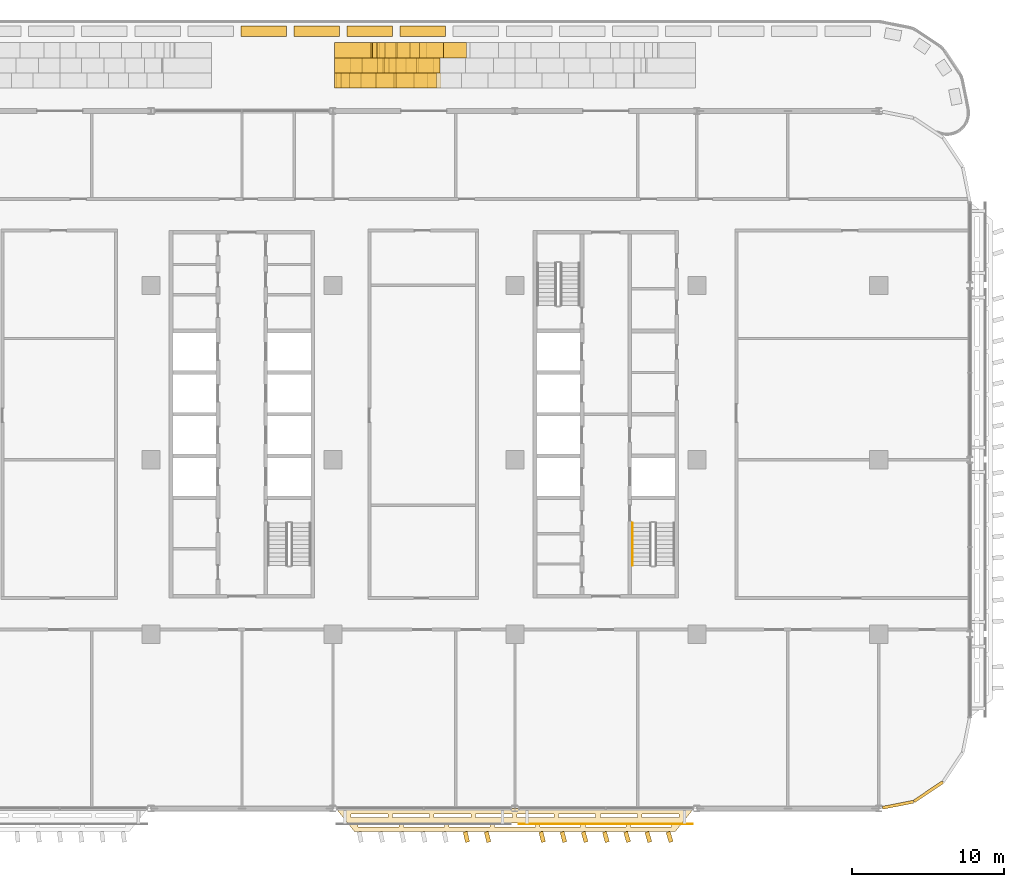
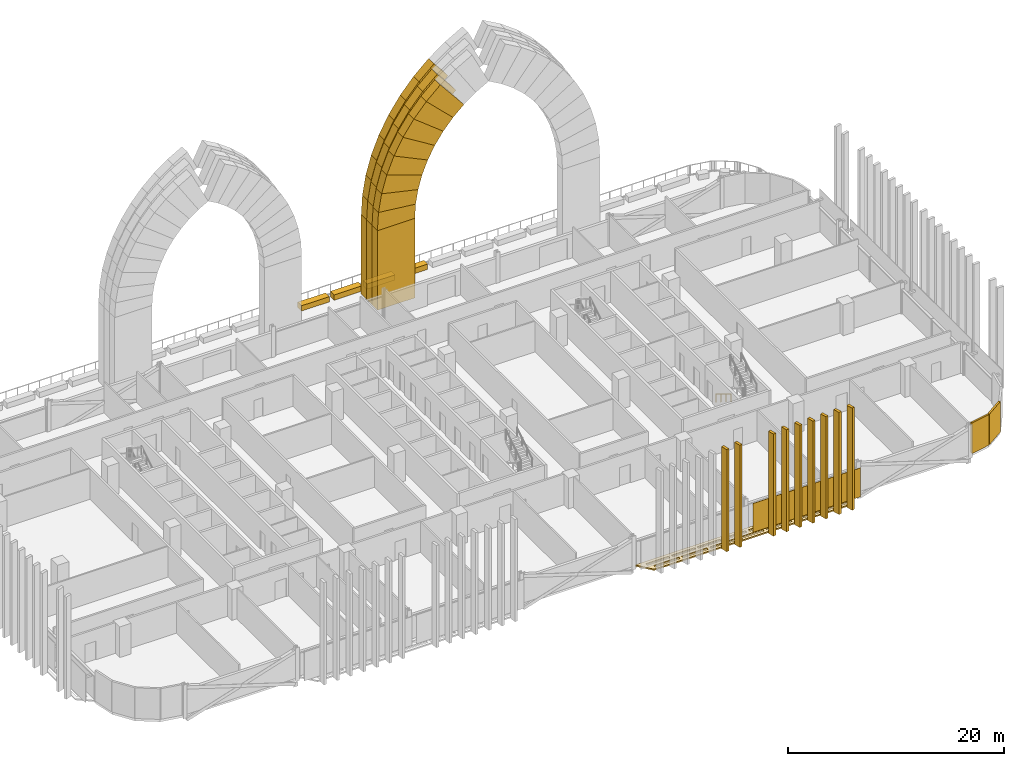
# One storey, part 27 of 30: 44 coverings, 1 railing.
"""IFC4 building model written with IfcOpenShell, lengths in metres."""

from ifc_helpers import new_model, si_unit, direction, frame, origin, origin_2d, place, context, subcontext, project, spatial, polyline, rectangle, circle, outline, extrude, material, layer, layer_set, type_object, element, save


model = new_model("IFC4")

# Units and contexts
model_context = context("Model", 3, precision=1e-05, world=origin(), true_north=direction((0.0, 1.0)))
body_context = subcontext(model_context, "Body", "Model", "MODEL_VIEW")
ifc_project = project(units=[si_unit("LENGTHUNIT", "METRE"), si_unit("AREAUNIT", "SQUARE_METRE"), si_unit("VOLUMEUNIT", "CUBIC_METRE"), si_unit("PLANEANGLEUNIT", "RADIAN"), si_unit("MASSUNIT", "GRAM", prefix="KILO")], contexts=[model_context])

# Site, building, storey
site_placement = place(None, origin())
site = spatial("IfcSite", under=ifc_project, at=site_placement, CompositionType="ELEMENT")
building_placement = place(site_placement, origin())
building = spatial("IfcBuilding", under=site, at=building_placement, Name="Mahtab Terrace Research Tower", CompositionType="ELEMENT")
storey_placement = place(building_placement, frame((0.0, 0.0, 159.199951171875)))
storey = spatial("IfcBuildingStorey", under=building, at=storey_placement, Name="L37", CompositionType="ELEMENT", Elevation=159.199951171875)

# Coverings
ifc_material_1 = material(Name="Black aluminium cladding panel", Category="aluminium")
ifc_layer_1 = layer(ifc_material_1, 0.199951171875)
ifc_layer_set_1 = layer_set([ifc_layer_1], Name="Black metal corner cladding 200")
covering_type_1 = type_object("IfcCoveringType", Name="Black metal corner cladding 200", PredefinedType="CLADDING", material=ifc_layer_set_1)
covering_1_placement = place(storey_placement, frame((43.25830078125, -22.74951171875, 0.0), z_axis=(0.0, 0.0, 1.0), x_axis=(0.980760981187, 0.195212442692, 0.0)))
element("IfcCovering", 1, at=covering_1_placement, inside=storey, type_object=covering_type_1, Name="Corner cladding L37 30", PredefinedType="CLADDING", context=body_context, shape_type="SweptSolid", body=[
    extrude(rectangle(XDim=2.07666015625, YDim=0.199951171875, at=origin_2d()), origin(), (0.0, 0.0, 1.0), 3.4599609375),
])
covering_2_placement = place(storey_placement, frame((45.26953125, -21.89306640625, 0.0), z_axis=(0.0, 0.0, 1.0), x_axis=(0.831655794326, 0.555291490808, 0.0)))
element("IfcCovering", 2, at=covering_2_placement, inside=storey, type_object=covering_type_1, Name="Corner cladding L37 31", PredefinedType="CLADDING", context=body_context, shape_type="SweptSolid", body=[
    extrude(rectangle(XDim=2.30126953125, YDim=0.199951171875, at=origin_2d()), origin(), (0.0, 0.0, 1.0), 3.4599609375),
])
ifc_material_2 = material(Name="Black anodised aluminium", Category="aluminium")
ifc_layer_2 = layer(ifc_material_2, 0.14990234375)
ifc_layer_set_2 = layer_set([ifc_layer_2], Name="Horizontal sunshade band")
covering_type_2 = type_object("IfcCoveringType", Name="Horizontal sunshade band", PredefinedType="CLADDING", material=ifc_layer_set_2)
covering_3_placement = place(storey_placement, frame((0.0, 0.0, -0.14990234375)))
element("IfcCovering", 3, at=covering_3_placement, inside=storey, type_object=covering_type_2, Name="Sunshade band L37 27", PredefinedType="CLADDING", context=body_context, shape_type="SweptSolid", body=[
    extrude(outline(polyline([(6.2080078125, -23.0), (29.7919921875, -23.0), (28.592041015625, -24.5), (7.407958984375, -24.5), (6.2080078125, -23.0)]), holes=[polyline([(7.18798828125, -23.35009765625), (9.6279296875, -23.35009765625), (9.6279296875, -23.60009765625), (7.18798828125, -23.60009765625), (7.18798828125, -23.35009765625)]), polyline([(9.927978515625, -23.35009765625), (12.368896484375, -23.35009765625), (12.368896484375, -23.60009765625), (9.927978515625, -23.60009765625), (9.927978515625, -23.35009765625)]), polyline([(12.6689453125, -23.35009765625), (15.10888671875, -23.35009765625), (15.10888671875, -23.60009765625), (12.6689453125, -23.60009765625), (12.6689453125, -23.35009765625)]), polyline([(15.408935546875, -23.35009765625), (17.85009765625, -23.35009765625), (17.85009765625, -23.60009765625), (15.408935546875, -23.60009765625), (15.408935546875, -23.35009765625)]), polyline([(18.14990234375, -23.35009765625), (20.590087890625, -23.35009765625), (20.590087890625, -23.60009765625), (18.14990234375, -23.60009765625), (18.14990234375, -23.35009765625)]), polyline([(20.889892578125, -23.35009765625), (23.3310546875, -23.35009765625), (23.3310546875, -23.60009765625), (20.889892578125, -23.60009765625), (20.889892578125, -23.35009765625)]), polyline([(23.631103515625, -23.35009765625), (26.072021484375, -23.35009765625), (26.072021484375, -23.60009765625), (23.631103515625, -23.60009765625), (23.631103515625, -23.35009765625)]), polyline([(26.37109375, -23.35009765625), (28.81201171875, -23.35009765625), (28.81201171875, -23.60009765625), (26.37109375, -23.60009765625), (26.37109375, -23.35009765625)]), polyline([(7.66796875, -23.949951171875), (10.363037109375, -23.949951171875), (10.363037109375, -24.199951171875), (7.66796875, -24.199951171875), (7.66796875, -23.949951171875)]), polyline([(10.6630859375, -23.949951171875), (13.35791015625, -23.949951171875), (13.35791015625, -24.199951171875), (10.6630859375, -24.199951171875), (10.6630859375, -23.949951171875)]), polyline([(13.657958984375, -23.949951171875), (16.35302734375, -23.949951171875), (16.35302734375, -24.199951171875), (13.657958984375, -24.199951171875), (13.657958984375, -23.949951171875)]), polyline([(16.653076171875, -23.949951171875), (19.346923828125, -23.949951171875), (19.346923828125, -24.199951171875), (16.653076171875, -24.199951171875), (16.653076171875, -23.949951171875)]), polyline([(19.64697265625, -23.949951171875), (22.342041015625, -23.949951171875), (22.342041015625, -24.199951171875), (19.64697265625, -24.199951171875), (19.64697265625, -23.949951171875)]), polyline([(22.64208984375, -23.949951171875), (25.3369140625, -23.949951171875), (25.3369140625, -24.199951171875), (22.64208984375, -24.199951171875), (22.64208984375, -23.949951171875)]), polyline([(25.636962890625, -23.949951171875), (28.33203125, -23.949951171875), (28.33203125, -24.199951171875), (25.636962890625, -24.199951171875), (25.636962890625, -23.949951171875)])]), origin(), (0.0, 0.0, 1.0), 0.14990234375),
])
ifc_material_3 = material(Name="Glazed ceramic tile cladding", Category="masonry")
ifc_layer_3 = layer(ifc_material_3, 1.0)
ifc_layer_set_3 = layer_set([ifc_layer_3], Name="Iwan portal cladding arch course 800")
covering_type_3 = type_object("IfcCoveringType", Name="Iwan portal cladding arch course 800", PredefinedType="CLADDING", material=ifc_layer_set_3)
covering_4_placement = place(storey_placement, frame((10.10009765625, 24.5, 9.030029296875), z_axis=(0.0, -1.0, 0.0), x_axis=(0.055684188301, 0.0, 0.998448431905)))
element("IfcCovering", 4, at=covering_4_placement, inside=storey, type_object=covering_type_3, Name="Iwan portal arch course 4.1.1E1", PredefinedType="CLADDING", context=body_context, shape_type="SweptSolid", body=[
    extrude(outline(polyline([(0.0, 0.0), (1.5783766932944783, 0.0), (1.7993999387119965, 3.9945795809983236), (-0.2227367532057247, 3.993793727619314), (0.0, 0.0)])), origin(), (0.0, 0.0, -1.0), 1.0),
])
covering_5_placement = place(storey_placement, frame((10.18798828125, 24.5, 10.60595703125), z_axis=(0.0, -1.0, 0.0), x_axis=(0.16540253298, 0.0, 0.986226141452)))
element("IfcCovering", 5, at=covering_5_placement, inside=storey, type_object=covering_type_3, Name="Iwan portal arch course 4.1.1E2", PredefinedType="CLADDING", context=body_context, shape_type="SweptSolid", body=[
    extrude(outline(polyline([(0.0, 0.0), (1.5778859212334675, 5.551115123125783e-17), (1.8012356859499197, 3.9938082352737947), (-0.2206409192800836, 3.9946007170533173), (0.0, 0.0)])), origin(), (0.0, 0.0, -1.0), 1.0),
])
covering_6_placement = place(storey_placement, frame((10.448974609375, 24.5, 12.162109375), z_axis=(0.0, -1.0, 0.0), x_axis=(0.274557595969, 0.0, 0.961570656008)))
element("IfcCovering", 6, at=covering_6_placement, inside=storey, type_object=covering_type_3, Name="Iwan portal arch course 4.1.1E3", PredefinedType="CLADDING", context=body_context, shape_type="SweptSolid", body=[
    extrude(outline(polyline([(0.0, 0.0), (1.5774667141179028, 5.551115123125783e-17), (1.797198668735069, 3.9948545773434434), (-0.22427553025068414, 3.9937563551211346), (0.0, 0.0)])), origin(), (0.0, 0.0, -1.0), 1.0),
])
covering_7_placement = place(storey_placement, frame((10.882080078125, 24.5, 13.678955078125), z_axis=(0.0, -1.0, 0.0), x_axis=(0.378181094017, 0.0, 0.925731635048)))
element("IfcCovering", 7, at=covering_7_placement, inside=storey, type_object=covering_type_3, Name="Iwan portal arch course 4.1.1E4", PredefinedType="CLADDING", context=body_context, shape_type="SweptSolid", body=[
    extrude(outline(polyline([(0.0, 0.0), (1.5784073756426038, 0.0), (1.8028175880081938, 3.9935204831856623), (-0.21895031798227782, 3.9948974935856865), (0.0, 0.0)])), origin(), (0.0, 0.0, -1.0), 1.0),
])
covering_8_placement = place(storey_placement, frame((11.47900390625, 24.5, 15.14013671875), z_axis=(0.0, -1.0, 0.0), x_axis=(0.479166466467, 0.0, 0.877724043999)))
element("IfcCovering", 8, at=covering_8_placement, inside=storey, type_object=covering_type_3, Name="Iwan portal arch course 4.1.1E5", PredefinedType="CLADDING", context=body_context, shape_type="SweptSolid", body=[
    extrude(outline(polyline([(0.0, 0.0), (1.577955822327451, 0.0), (1.7993510086734408, 3.9935730312671653), (-0.22283295257618718, 3.9936088026099394), (0.0, 0.0)])), origin(), (0.0, 0.0, -1.0), 1.0),
])
covering_9_placement = place(storey_placement, frame((12.235107421875, 24.5, 16.525146484375), z_axis=(0.0, -1.0, 0.0), x_axis=(0.573628543289, 0.0, 0.819115556148)))
element("IfcCovering", 9, at=covering_9_placement, inside=storey, type_object=covering_type_3, Name="Iwan portal arch course 4.1.1E6", PredefinedType="CLADDING", context=body_context, shape_type="SweptSolid", body=[
    extrude(outline(polyline([(0.0, 0.0), (1.57730149037252, 1.1102230246251565e-16), (1.7981598253079183, 3.993900507702006), (-0.2232388907297027, 3.993470393312985), (0.0, 0.0)])), origin(), (0.0, 0.0, -1.0), 1.0),
])
covering_10_placement = place(storey_placement, frame((13.139892578125, 24.5, 17.817138671875), z_axis=(0.0, -1.0, 0.0), x_axis=(0.66083356317, 0.0, 0.750532478836)))
element("IfcCovering", 10, at=covering_10_placement, inside=storey, type_object=covering_type_3, Name="Iwan portal arch course 4.1.1E7", PredefinedType="CLADDING", context=body_context, shape_type="SweptSolid", body=[
    extrude(outline(polyline([(0.0, 0.0), (1.5786318201214813, 1.1102230246251565e-16), (1.7992764726772033, 3.994311049460075), (-0.2229140085410235, 3.993786300533486), (0.0, 0.0)])), origin(), (0.0, 0.0, -1.0), 1.0),
])
covering_11_placement = place(storey_placement, frame((14.18310546875, 24.5, 19.001953125), z_axis=(0.0, -1.0, 0.0), x_axis=(0.739589914552, 0.0, 0.673057767427)))
element("IfcCovering", 11, at=covering_11_placement, inside=storey, type_object=covering_type_3, Name="Iwan portal arch course 4.1.1E8", PredefinedType="CLADDING", context=body_context, shape_type="SweptSolid", body=[
    extrude(outline(polyline([(0.0, 0.0), (1.5778908886384904, 0.0), (1.800936466805464, 3.993944873038375), (-0.22130264503405606, 3.9942746477728868), (0.0, 0.0)])), origin(), (0.0, 0.0, -1.0), 1.0),
])
covering_12_placement = place(storey_placement, frame((9.300048828125, 25.5, 9.030029296875), z_axis=(0.0, -1.0, 0.0), x_axis=(0.05521324217, 0.0, 0.9984745855)))
element("IfcCovering", 12, at=covering_12_placement, inside=storey, type_object=covering_type_3, Name="Iwan portal arch course 4.1.2E1", PredefinedType="CLADDING", context=body_context, shape_type="SweptSolid", body=[
    extrude(outline(polyline([(0.0, 0.0), (1.7377582234668387, 0.0), (1.916622864104998, 3.1946805493775674), (-0.17667967898457168, 3.195069919957636), (0.0, 0.0)])), origin(), (0.0, 0.0, -1.0), 1.0),
])
covering_13_placement = place(storey_placement, frame((9.39599609375, 25.5, 10.76513671875), z_axis=(0.0, -1.0, 0.0), x_axis=(0.165765655769, 0.0, 0.986165172457)))
element("IfcCovering", 13, at=covering_13_placement, inside=storey, type_object=covering_type_3, Name="Iwan portal arch course 4.1.2E2", PredefinedType="CLADDING", context=body_context, shape_type="SweptSolid", body=[
    extrude(outline(polyline([(0.0, 0.0), (1.7379108848771314, 5.551115123125783e-17), (1.9158642234277719, 3.194791693982764), (-0.17705407852550875, 3.1947814049664585), (0.0, 0.0)])), origin(), (0.0, 0.0, -1.0), 1.0),
])
covering_14_placement = place(storey_placement, frame((9.68408203125, 25.5, 12.47900390625), z_axis=(0.0, -1.0, 0.0), x_axis=(0.274368569848, 0.0, 0.961624608607)))
element("IfcCovering", 14, at=covering_14_placement, inside=storey, type_object=covering_type_3, Name="Iwan portal arch course 4.1.2E3", PredefinedType="CLADDING", context=body_context, shape_type="SweptSolid", body=[
    extrude(outline(polyline([(0.0, 0.0), (1.737832583699123, 5.551115123125783e-17), (1.9139240673748024, 3.1948431043558716), (-0.17830955255859782, 3.1947718325584584), (0.0, 0.0)])), origin(), (0.0, 0.0, -1.0), 1.0),
])
covering_15_placement = place(storey_placement, frame((10.160888671875, 25.5, 14.150146484375), z_axis=(0.0, -1.0, 0.0), x_axis=(0.378840755386, 0.0, 0.925461874989)))
element("IfcCovering", 15, at=covering_15_placement, inside=storey, type_object=covering_type_3, Name="Iwan portal arch course 4.1.2E4", PredefinedType="CLADDING", context=body_context, shape_type="SweptSolid", body=[
    extrude(outline(polyline([(0.0, 0.0), (1.7374137170897623, -1.1102230246251565e-16), (1.91502221750044, 3.1956173853652894), (-0.17764719818233965, 3.1947569774634395), (0.0, 0.0)])), origin(), (0.0, 0.0, -1.0), 1.0),
])
covering_16_placement = place(storey_placement, frame((10.819091796875, 25.5, 15.758056640625), z_axis=(0.0, -1.0, 0.0), x_axis=(0.479166962321, 0.0, 0.877723773302)))
element("IfcCovering", 16, at=covering_16_placement, inside=storey, type_object=covering_type_3, Name="Iwan portal arch course 4.1.2E5", PredefinedType="CLADDING", context=body_context, shape_type="SweptSolid", body=[
    extrude(outline(polyline([(0.0, 0.0), (1.7384500143014558, 0.0), (1.9148860700248238, 3.195489581035992), (-0.1779878439256981, 3.195596279332184), (0.0, 0.0)])), origin(), (0.0, 0.0, -1.0), 1.0),
])
covering_17_placement = place(storey_placement, frame((11.652099609375, 25.5, 17.283935546875), z_axis=(0.0, -1.0, 0.0), x_axis=(0.573339702667, 0.0, 0.81931775603)))
element("IfcCovering", 17, at=covering_17_placement, inside=storey, type_object=covering_type_3, Name="Iwan portal arch course 4.1.2E6", PredefinedType="CLADDING", context=body_context, shape_type="SweptSolid", body=[
    extrude(outline(polyline([(0.0, 0.0), (1.736927697040144, 0.0), (1.9151129566521372, 3.1953778678943223), (-0.1782086288997078, 3.1953912168707115), (0.0, 0.0)])), origin(), (0.0, 0.0, -1.0), 1.0),
])
covering_18_placement = place(storey_placement, frame((12.64794921875, 25.5, 18.70703125), z_axis=(0.0, -1.0, 0.0), x_axis=(0.660501219664, 0.0, 0.750824972162)))
element("IfcCovering", 18, at=covering_18_placement, inside=storey, type_object=covering_type_3, Name="Iwan portal arch course 4.1.2E7", PredefinedType="CLADDING", context=body_context, shape_type="SweptSolid", body=[
    extrude(outline(polyline([(0.0, 0.0), (1.7379971218425505, 0.0), (1.9163467919571597, 3.194893780777145), (-0.17658231059182783, 3.1954668505490567), (0.0, 0.0)])), origin(), (0.0, 0.0, -1.0), 1.0),
])
covering_19_placement = place(storey_placement, frame((13.7958984375, 25.5, 20.011962890625), z_axis=(0.0, -1.0, 0.0), x_axis=(0.739692048402, 0.0, 0.672945520478)))
element("IfcCovering", 19, at=covering_19_placement, inside=storey, type_object=covering_type_3, Name="Iwan portal arch course 4.1.2E8", PredefinedType="CLADDING", context=body_context, shape_type="SweptSolid", body=[
    extrude(outline(polyline([(0.0, 0.0), (1.7374206641492438, 1.1102230246251565e-16), (1.9155362576970802, 3.1946376475868576), (-0.1770575156211176, 3.194965651058013), (0.0, 0.0)])), origin(), (0.0, 0.0, -1.0), 1.0),
])
covering_20_placement = place(storey_placement, frame((8.5, 26.5, 9.030029296875), z_axis=(0.0, -1.0, 0.0), x_axis=(0.055313281483, 0.0, 0.99846904854)))
element("IfcCovering", 20, at=covering_20_placement, inside=storey, type_object=covering_type_3, Name="Iwan portal arch course 4.1.3E1", PredefinedType="CLADDING", context=body_context, shape_type="SweptSolid", body=[
    extrude(outline(polyline([(0.0, 0.0), (1.8979251625493403, 0.0), (2.0317083207767572, 2.3960780302734213), (-0.13274647387185842, 2.3962282097520116), (0.0, 0.0)])), origin(), (0.0, 0.0, -1.0), 1.0),
])
covering_21_placement = place(storey_placement, frame((8.60498046875, 26.5, 10.925048828125), z_axis=(0.0, -1.0, 0.0), x_axis=(0.165984548039, 0.0, 0.98612835362)))
element("IfcCovering", 21, at=covering_21_placement, inside=storey, type_object=covering_type_3, Name="Iwan portal arch course 4.1.3E2", PredefinedType="CLADDING", context=body_context, shape_type="SweptSolid", body=[
    extrude(outline(polyline([(0.0, 0.0), (1.897414006130394, 0.0), (2.029384136484305, 2.3959612420321976), (-0.1334529160999836, 2.3960964462576775), (0.0, 0.0)])), origin(), (0.0, 0.0, -1.0), 1.0),
])
covering_22_placement = place(storey_placement, frame((8.919921875, 26.5, 12.796142578125), z_axis=(0.0, -1.0, 0.0), x_axis=(0.274041357069, 0.0, 0.961717908025)))
element("IfcCovering", 22, at=covering_22_placement, inside=storey, type_object=covering_type_3, Name="Iwan portal arch course 4.1.3E3", PredefinedType="CLADDING", context=body_context, shape_type="SweptSolid", body=[
    extrude(outline(polyline([(0.0, 0.0), (1.8975950813093414, -1.1102230246251565e-16), (2.0300428442124554, 2.3958360461894452), (-0.13385605821059365, 2.39585662014788), (0.0, 0.0)])), origin(), (0.0, 0.0, -1.0), 1.0),
])
covering_23_placement = place(storey_placement, frame((9.43994140625, 26.5, 14.62109375), z_axis=(0.0, -1.0, 0.0), x_axis=(0.378943462725, 0.0, 0.92541982476)))
element("IfcCovering", 23, at=covering_23_placement, inside=storey, type_object=covering_type_3, Name="Iwan portal arch course 4.1.3E4", PredefinedType="CLADDING", context=body_context, shape_type="SweptSolid", body=[
    extrude(outline(polyline([(0.0, 0.0), (1.8973652044423268, 0.0), (2.0303109429223443, 2.3960704608528567), (-0.13390692576853858, 2.395754934326533), (0.0, 0.0)])), origin(), (0.0, 0.0, -1.0), 1.0),
])
covering_24_placement = place(storey_placement, frame((10.158935546875, 26.5, 16.376953125), z_axis=(0.0, -1.0, 0.0), x_axis=(0.479248813648, 0.0, 0.877679084071)))
element("IfcCovering", 24, at=covering_24_placement, inside=storey, type_object=covering_type_3, Name="Iwan portal arch course 4.1.3E5", PredefinedType="CLADDING", context=body_context, shape_type="SweptSolid", body=[
    extrude(outline(polyline([(0.0, 0.0), (1.8970932459458805, 0.0), (2.0297909819840303, 2.3968148874090685), (-0.13363615671618223, 2.396032053285128), (0.0, 0.0)])), origin(), (0.0, 0.0, -1.0), 1.0),
])
covering_25_placement = place(storey_placement, frame((11.068115234375, 26.5, 18.0419921875), z_axis=(0.0, -1.0, 0.0), x_axis=(0.573203316459, 0.0, 0.81941317905)))
element("IfcCovering", 25, at=covering_25_placement, inside=storey, type_object=covering_type_3, Name="Iwan portal arch course 4.1.3E6", PredefinedType="CLADDING", context=body_context, shape_type="SweptSolid", body=[
    extrude(outline(polyline([(0.0, 0.0), (1.8979140450898822, 1.1102230246251565e-16), (2.0314167835259718, 2.3962112805291857), (-0.13268745568797358, 2.3968154565503053), (0.0, 0.0)])), origin(), (0.0, 0.0, -1.0), 1.0),
])
covering_26_placement = place(storey_placement, frame((12.156005859375, 26.5, 19.59716796875), z_axis=(0.0, -1.0, 0.0), x_axis=(0.6603609885, 0.0, 0.750948310383)))
element("IfcCovering", 26, at=covering_26_placement, inside=storey, type_object=covering_type_3, Name="Iwan portal arch course 4.1.3E7", PredefinedType="CLADDING", context=body_context, shape_type="SweptSolid", body=[
    extrude(outline(polyline([(0.0, 0.0), (1.8973405596626085, 0.0), (2.031429388855241, 2.3962828158896765), (-0.13248780343009203, 2.3962676111084766), (0.0, 0.0)])), origin(), (0.0, 0.0, -1.0), 1.0),
])
covering_27_placement = place(storey_placement, frame((13.408935546875, 26.5, 21.02197265625), z_axis=(0.0, -1.0, 0.0), x_axis=(0.740015760485, 0.0, 0.672589528787)))
element("IfcCovering", 27, at=covering_27_placement, inside=storey, type_object=covering_type_3, Name="Iwan portal arch course 4.1.3E8", PredefinedType="CLADDING", context=body_context, shape_type="SweptSolid", body=[
    extrude(outline(polyline([(0.0, 0.0), (1.8973281507613406, 0.0), (2.03006569065573, 2.396920882878076), (-0.13408160107908573, 2.396283220342386), (0.0, 0.0)])), origin(), (0.0, 0.0, -1.0), 1.0),
])
ifc_layer_4 = layer(ifc_material_3, 1.0)
ifc_layer_set_4 = layer_set([ifc_layer_4], Name="Iwan portal cladding pilaster 900")
covering_type_4 = type_object("IfcCoveringType", Name="Iwan portal cladding pilaster 900", PredefinedType="CLADDING", material=ifc_layer_set_4)
covering_28_placement = place(storey_placement, frame((8.10009765625, 25.0, 0.030029296875), z_axis=(0.0, 0.0, 1.0), x_axis=(-1.0, 0.0, 0.0)))
element("IfcCovering", 28, at=covering_28_placement, inside=storey, type_object=covering_type_4, Name="Iwan portal pilaster 4.1.1E", PredefinedType="CLADDING", context=body_context, shape_type="SweptSolid", body=[
    extrude(rectangle(XDim=4.0, YDim=1.0, at=origin_2d()), origin(), (0.0, 0.0, 1.0), 9.0),
])
covering_29_placement = place(storey_placement, frame((7.699951171875, 26.0, 0.030029296875), z_axis=(0.0, 0.0, 1.0), x_axis=(-1.0, 0.0, 0.0)))
element("IfcCovering", 29, at=covering_29_placement, inside=storey, type_object=covering_type_4, Name="Iwan portal pilaster 4.1.2E", PredefinedType="CLADDING", context=body_context, shape_type="SweptSolid", body=[
    extrude(rectangle(XDim=3.199951171875, YDim=1.0, at=origin_2d()), origin(), (0.0, 0.0, 1.0), 9.0),
])
covering_30_placement = place(storey_placement, frame((7.300048828125, 27.0, 0.030029296875), z_axis=(0.0, 0.0, 1.0), x_axis=(-1.0, 0.0, 0.0)))
element("IfcCovering", 30, at=covering_30_placement, inside=storey, type_object=covering_type_4, Name="Iwan portal pilaster 4.1.3E", PredefinedType="CLADDING", context=body_context, shape_type="SweptSolid", body=[
    extrude(rectangle(XDim=2.39990234375, YDim=1.0, at=origin_2d()), origin(), (0.0, 0.0, 1.0), 9.0),
])
ifc_material_4 = material(Name="Planting soil and shrubs")
ifc_layer_5 = layer(ifc_material_4, 0.1201171875)
ifc_layer_set_5 = layer_set([ifc_layer_5], Name="Planter")
covering_type_5 = type_object("IfcCoveringType", Name="Planter", PredefinedType="USERDEFINED", material=ifc_layer_set_5)
for number, where, z_axis, x_axis, name in (
    (31, (11.93408203125, 28.25, 0.030029296875), (0.0, 0.0, 1.0), (-1.0, 0.0, 0.0), "PLANTER terrace 4"),
    (32, (8.43408203125, 28.25, 0.030029296875), (0.0, 0.0, 1.0), (-1.0, 0.0, 0.0), "PLANTER terrace 4"),
    (33, (4.93408203125, 28.25, 0.030029296875), (0.0, 0.0, 1.0), (-1.0, 0.0, 0.0), "PLANTER terrace 4"),
    (34, (1.43408203125, 28.25, 0.030029296875), (0.0, 0.0, 1.0), (-1.0, 0.0, 0.0), "PLANTER terrace 4"),
):
    element("IfcCovering", number, at=place(storey_placement, frame(where, z_axis=z_axis, x_axis=x_axis)), inside=storey, type_object=covering_type_5, Name=name, ObjectType="PLANTER", PredefinedType="USERDEFINED", context=body_context, shape_type="SweptSolid", body=[
        extrude(rectangle(XDim=3.0, YDim=0.699951171875, at=origin_2d()), origin(), (0.0, 0.0, 1.0), 0.60009765625),
    ])
ifc_material_5 = material(Name="Bronze anodised aluminium", Category="aluminium")
ifc_layer_6 = layer(ifc_material_5, 0.050048828125)
ifc_layer_set_6 = layer_set([ifc_layer_6], Name="Sky lounge girih screen panel")
covering_type_6 = type_object("IfcCoveringType", Name="Sky lounge girih screen panel", PredefinedType="CLADDING", material=ifc_layer_set_6)
covering_31_placement = place(storey_placement, frame((24.0, -24.02490234375, 0.10009765625), z_axis=(0.0, 0.0, 1.0), x_axis=(1.0, 0.0, 0.0)))
element("IfcCovering", 35, at=covering_31_placement, inside=storey, type_object=covering_type_6, Name="Girih screen L37 S29", PredefinedType="CLADDING", context=body_context, shape_type="SweptSolid", body=[
    extrude(rectangle(XDim=11.48388671875, YDim=0.050048828125, at=origin_2d()), origin(), (0.0, 0.0, 1.0), 3.260009765625),
])

# Railing
ifc_material_6 = material(Name="Stainless steel AISI 304", Category="steel")
railing_type = type_object("IfcRailingType", Name="Stair handrail 900", PredefinedType="HANDRAIL", material=ifc_material_6)
railing_placement = place(storey_placement, frame((25.75, -4.175048828125, 0.1728515625)))
element("IfcRailing", 36, at=railing_placement, inside=storey, type_object=railing_type, Name="L37 ST4 stair handrail 1", PredefinedType="HANDRAIL", context=body_context, shape_type="SweptSolid", body=[
    extrude(circle(Radius=0.02392578125, at=origin_2d()), frame((0.0, 0.0, 0.8759765625), z_axis=(0.0, -0.851089632645, 0.525020415988), x_axis=(1.0, 0.0, 0.0)), (0.0, 0.0, 1.0), 3.2900390625),
    extrude(circle(Radius=0.02099609375, at=origin_2d()), origin(), (0.0, 0.0, 1.0), 0.851806640625),
    extrude(circle(Radius=0.02099609375, at=origin_2d()), frame((0.0, -0.933349609375, 0.57568359375)), (0.0, 0.0, 1.0), 0.851806640625),
    extrude(circle(Radius=0.02099609375, at=origin_2d()), frame((0.0, -1.86669921875, 1.151611328125)), (0.0, 0.0, 1.0), 0.851806640625),
    extrude(circle(Radius=0.02099609375, at=origin_2d()), frame((0.0, -2.800048828125, 1.727294921875)), (0.0, 0.0, 1.0), 0.851806640625),
])

# Coverings
ifc_layer_7 = layer(ifc_material_5, 0.1201171875)
ifc_layer_set_7 = layer_set([ifc_layer_7], Name="Vertical fin 700")
covering_type_7 = type_object("IfcCoveringType", Name="Vertical fin 700", PredefinedType="CLADDING", material=ifc_layer_set_7)
for number, where, z_axis, x_axis, name in (
    (37, (14.800048828125, -24.873046875, -0.14990234375), (0.0, 0.0, 1.0), (0.972272827152, 0.233849416469, 0.0), "Fin L37 S6"),
    (38, (16.199951171875, -24.873291015625, -0.14990234375), (0.0, 0.0, 1.0), (0.970895900159, 0.239501881108, 0.0), "Fin L37 S7"),
    (39, (19.800048828125, -24.8740234375, -0.14990234375), (0.0, 0.0, 1.0), (0.967204452546, 0.253999108219, 0.0), "Fin L37 S1"),
    (40, (21.199951171875, -24.874267578125, -0.14990234375), (0.0, 0.0, 1.0), (0.965710385828, 0.259621745437, 0.0), "Fin L37 S2"),
    (41, (22.60009765625, -24.87451171875, -0.14990234375), (0.0, 0.0, 1.0), (0.964183633406, 0.265235595407, 0.0), "Fin L37 S3"),
    (42, (24.0, -24.874755859375, -0.14990234375), (0.0, 0.0, 1.0), (0.962624246951, 0.270840468138, 0.0), "Fin L37 S4"),
    (43, (25.39990234375, -24.875, -0.14990234375), (0.0, 0.0, 1.0), (0.961032279237, 0.276436173942, 0.0), "Fin L37 S5"),
    (44, (26.800048828125, -24.875244140625, -0.14990234375), (0.0, 0.0, 1.0), (0.959407784156, 0.282022523392, 0.0), "Fin L37 S6"),
    (45, (28.199951171875, -24.87548828125, -0.14990234375), (0.0, 0.0, 1.0), (0.957750816686, 0.287599327427, 0.0), "Fin L37 S7"),
):
    element("IfcCovering", number, at=place(storey_placement, frame(where, z_axis=z_axis, x_axis=x_axis)), inside=storey, type_object=covering_type_7, Name=name, PredefinedType="CLADDING", context=body_context, shape_type="SweptSolid", body=[
        extrude(rectangle(XDim=0.280029296875, YDim=0.699951171875, at=origin_2d()), origin(), (0.0, 0.0, 1.0), 11.550048828125),
    ])

save(model, "model.ifc")
